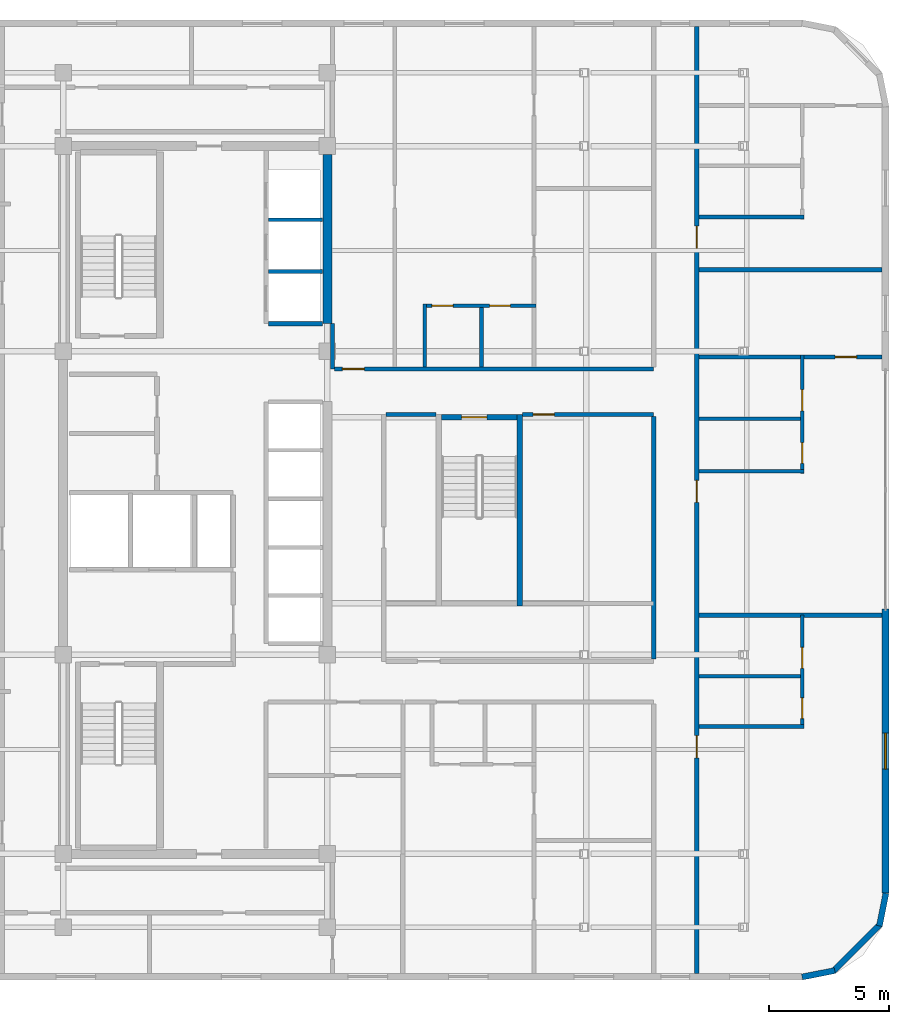
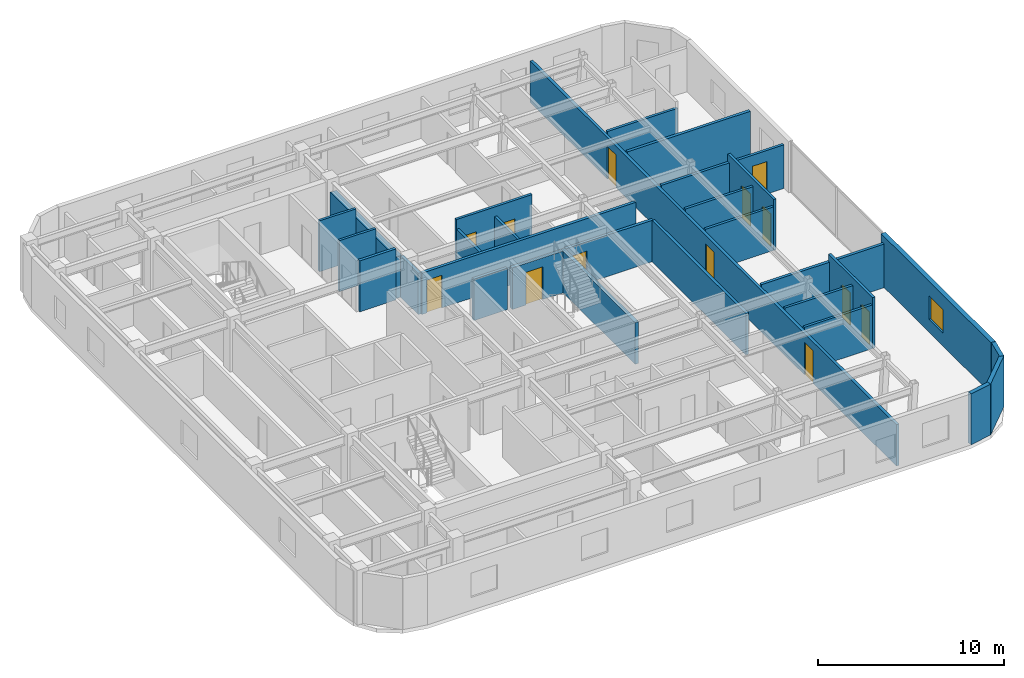
# One storey, part 6 of 9: 29 walls, 13 doors, 1 window, 14 openings.
"""IFC4 building model written with IfcOpenShell, lengths in metres."""

import ifcopenshell
import ifcopenshell.guid

model = None  # the IFC model being written
_history = None  # IfcOwnerHistory: only IFC2X3 demands one
_inside = {}  # id of a spatial element -> (the spatial element, [elements in it])
_under = {}  # id of a project, library or spatial element -> (it, [spatial elements below it])
_declared = {}  # id of a project -> (the project, [libraries it declares])
_typed = {}  # id of a type object -> (the type object, [elements of that type])
_made_of = {}  # id of a material, layer set ... -> (it, [elements and type objects made of it])


def new_model(schema):
    """Start an empty IFC model of exactly this schema.

    Asked for "IFC4X3", IfcOpenShell would pick the latest addendum, in which some entities
    have other attributes; the version numbers below select the first issue.
    IFC2X3 requires an IfcOwnerHistory on every rooted entity: one is made here for all.
    """
    global model, _history
    if schema == "IFC4X3":
        model = ifcopenshell.file(schema_version=(4, 3, 0, 0))
    else:
        model = ifcopenshell.file(schema=schema)
    _inside.clear()
    _under.clear()
    _declared.clear()
    _typed.clear()
    _made_of.clear()
    _history = None
    if model.schema == "IFC2X3":
        org = make("IfcOrganization", Name="unknown")
        user = make(
            "IfcPersonAndOrganization",
            ThePerson=make("IfcPerson", FamilyName="unknown"),
            TheOrganization=org,
        )
        app = make(
            "IfcApplication",
            ApplicationDeveloper=org,
            Version="unknown",
            ApplicationFullName="unknown",
            ApplicationIdentifier="unknown",
        )
        _history = make(
            "IfcOwnerHistory",
            OwningUser=user,
            OwningApplication=app,
            ChangeAction="ADDED",
            CreationDate=0,
        )
    return model


def make(cls, **values):
    """One entity of the class cls with the attributes given. An attribute that is None is left unset."""
    return model.create_entity(
        cls, **{name: value for name, value in values.items() if value is not None}
    )


def rooted(cls, **values):
    """An entity with a GlobalId (a new one), such as an element, a storey or a relation."""
    return make(cls, GlobalId=ifcopenshell.guid.new(), OwnerHistory=_history, **values)


def si_unit(unit_type, name, prefix=None):
    """IfcSIUnit, for example si_unit("LENGTHUNIT", "METRE", prefix="MILLI")."""
    return make("IfcSIUnit", UnitType=unit_type, Prefix=prefix, Name=name)


def assignment(units):
    """IfcUnitAssignment: the units of a project."""
    return None if units is None else make("IfcUnitAssignment", Units=units)


def point(xyz):
    """IfcCartesianPoint."""
    return None if xyz is None else make("IfcCartesianPoint", Coordinates=xyz)


def direction(xyz):
    """IfcDirection."""
    return None if xyz is None else make("IfcDirection", DirectionRatios=xyz)


def frame(location, z_axis=None, x_axis=None):
    """IfcAxis2Placement3D, a coordinate frame: its origin and axes. An axis left out is left unset."""
    return make(
        "IfcAxis2Placement3D",
        Location=point(location),
        Axis=direction(z_axis),
        RefDirection=direction(x_axis),
    )


def frame_2d(location, x_axis=None):
    """IfcAxis2Placement2D, a coordinate frame in the plane: its origin and x axis."""
    return make(
        "IfcAxis2Placement2D", Location=point(location), RefDirection=direction(x_axis)
    )


def origin():
    """The frame at (0, 0, 0) with its axes left unset."""
    return frame((0.0, 0.0, 0.0))


def place(relative_to, where):
    """IfcLocalPlacement: puts the frame where relative to a parent placement (None: the world)."""
    return make(
        "IfcLocalPlacement", PlacementRelTo=relative_to, RelativePlacement=where
    )


def context(
    kind, dimensions, precision=None, world=None, true_north=None, identifier=None
):
    """IfcGeometricRepresentationContext, for example the 3D "Model" context."""
    return make(
        "IfcGeometricRepresentationContext",
        ContextIdentifier=identifier,
        ContextType=kind,
        CoordinateSpaceDimension=dimensions,
        Precision=precision,
        WorldCoordinateSystem=world,
        TrueNorth=true_north,
    )


def subcontext(parent, identifier, kind, view, scale=None):
    """IfcGeometricRepresentationSubContext, for example "Body" below "Model"."""
    return make(
        "IfcGeometricRepresentationSubContext",
        ContextIdentifier=identifier,
        ContextType=kind,
        ParentContext=parent,
        TargetScale=scale,
        TargetView=view,
    )


def project(units=None, contexts=None):
    """IfcProject with its units and contexts."""
    return rooted(
        "IfcProject",
        Name="project",
        RepresentationContexts=contexts,
        UnitsInContext=assignment(units),
    )


def spatial(cls, under=None, at=None, **own):
    """A site, building, storey or space (cls), placed at a placement, below another one or the project."""
    s = rooted(cls, ObjectPlacement=at, **own)
    if under is not None:
        _under.setdefault(under.id(), (under, []))[1].append(s)
    return s


def profile(cls, at=None, kind="AREA", **sizes):
    """A parametric profile (cls). Its sizes go by their IFC names, for example OverallWidth=200.0."""
    return make(cls, ProfileType=kind, Position=at, **sizes)


def rectangle(**sizes):
    """IfcRectangleProfileDef."""
    return profile("IfcRectangleProfileDef", **sizes)


def extrude(swept, where, along, depth):
    """IfcExtrudedAreaSolid: the profile swept, set in the frame where, extruded along a direction by depth."""
    return make(
        "IfcExtrudedAreaSolid",
        SweptArea=swept,
        Position=where,
        ExtrudedDirection=direction(along),
        Depth=depth,
    )


def shape(context_of_items, identifier, shape_type, items):
    """IfcShapeRepresentation: the items that make up one representation, for example the "Body"."""
    return make(
        "IfcShapeRepresentation",
        ContextOfItems=context_of_items,
        RepresentationIdentifier=identifier,
        RepresentationType=shape_type,
        Items=items,
    )


def material(Name=None, Category=None):
    """IfcMaterial."""
    return make("IfcMaterial", Name=Name, Category=Category)


def layer(
    of_material, thickness, ventilated=None, Name=None, Category=None, Priority=None
):
    """IfcMaterialLayer: one layer of a wall or slab, of a material (None: an air gap)."""
    return make(
        "IfcMaterialLayer",
        Material=of_material,
        LayerThickness=thickness,
        IsVentilated=ventilated,
        Name=Name,
        Category=Category,
        Priority=Priority,
    )


def layer_set(layers, Name=None):
    """IfcMaterialLayerSet."""
    return make("IfcMaterialLayerSet", MaterialLayers=layers, LayerSetName=Name)


def made_of(thing, what):
    """Note that an element or type object is made of a material, layer set ...; save() writes the relation."""
    if what is not None:
        _made_of.setdefault(what.id(), (what, []))[1].append(thing)
    return thing


def type_object(cls, material=None, **own):
    """A type object (cls), such as IfcWallType, which elements share."""
    return made_of(rooted(cls, **own), material)


def element(
    cls,
    number,
    at=None,
    inside=None,
    cuts=None,
    type_object=None,
    material=None,
    context=None,
    identifier="Body",
    shape_type=None,
    held_by="IfcProductDefinitionShape",
    body=None,
    shapes=None,
    **own,
):
    """One element of the class cls, such as IfcWall. Its Tag is "e" and its number.

    at: its placement. inside: the storey or other place that contains it. cuts: it is an
    opening in that element (IfcRelVoidsElement). A single representation is given by context,
    identifier, shape_type and body (its items); several are given by shapes. held_by: the class
    of the entity that holds the representations. save() writes the other relations.
    """
    e = rooted(cls, Tag="e%d" % number, ObjectPlacement=at, **own)
    if body is not None:
        shapes = [shape(context, identifier, shape_type, body)]
    if shapes is not None:
        e.Representation = make(held_by, Representations=shapes)
    if inside is not None:
        _inside.setdefault(inside.id(), (inside, []))[1].append(e)
    if cuts is not None:
        rooted(
            "IfcRelVoidsElement", RelatingBuildingElement=cuts, RelatedOpeningElement=e
        )
    if type_object is not None:
        _typed.setdefault(type_object.id(), (type_object, []))[1].append(e)
    return made_of(e, material)


def fill(opening, filler):
    """IfcRelFillsElement: the door or window that sits in an opening."""
    return rooted(
        "IfcRelFillsElement",
        RelatingOpeningElement=opening,
        RelatedBuildingElement=filler,
    )


def aggregate(whole, parts):
    """IfcRelAggregates: a whole, such as a stair, and the parts it consists of."""
    return rooted("IfcRelAggregates", RelatingObject=whole, RelatedObjects=parts)


def save(model, path):
    """Write the relations noted so far, then the file.

    IfcRelAggregates (storeys below a building ...), IfcRelContainedInSpatialStructure (elements
    in a storey), IfcRelDefinesByType, IfcRelAssociatesMaterial and IfcRelDeclares: one each for
    every whole, place, type object, material and project.
    """
    for whole, parts in _under.values():
        aggregate(whole, parts)
    for where, things in _inside.values():
        rooted(
            "IfcRelContainedInSpatialStructure",
            RelatedElements=things,
            RelatingStructure=where,
        )
    for kind, things in _typed.values():
        rooted("IfcRelDefinesByType", RelatedObjects=things, RelatingType=kind)
    for what, things in _made_of.values():
        rooted("IfcRelAssociatesMaterial", RelatedObjects=things, RelatingMaterial=what)
    for by, libraries in _declared.values():
        rooted("IfcRelDeclares", RelatingContext=by, RelatedDefinitions=libraries)
    model.write(path)


model = new_model("IFC4")

# Units and contexts
model_context = context("Model", 3, precision=1e-05, world=origin(), true_north=direction((0.0, 1.0)))
body_context = subcontext(model_context, "Body", "Model", "MODEL_VIEW")
ifc_project = project(units=[si_unit("LENGTHUNIT", "METRE"), si_unit("AREAUNIT", "SQUARE_METRE"), si_unit("VOLUMEUNIT", "CUBIC_METRE"), si_unit("PLANEANGLEUNIT", "RADIAN"), si_unit("MASSUNIT", "GRAM", prefix="KILO")], contexts=[model_context])

# Site, building, storey
site_placement = place(None, origin())
site = spatial("IfcSite", under=ifc_project, at=site_placement, CompositionType="ELEMENT")
building_placement = place(site_placement, origin())
building = spatial("IfcBuilding", under=site, at=building_placement, Name="Ochreholt Gables", CompositionType="ELEMENT")
storey_placement = place(building_placement, frame((0.0, 0.0, 169.800048828125)))
storey = spatial("IfcBuildingStorey", under=building, at=storey_placement, Name="L44", CompositionType="ELEMENT", Elevation=169.800048828125)

# Wall
ifc_material_1 = material(Name="Concrete 50 MPa", Category="concrete")
ifc_layer_1 = layer(ifc_material_1, 0.3798828125, Name="Concrete 50 MPa")
ifc_layer_set_1 = layer_set([ifc_layer_1], Name="Concrete 50 MPa")
wall_type_1 = type_object("IfcWallType", Name="WALL-CSW-380", PredefinedType="SHEAR", material=ifc_layer_set_1)
wall_1_placement = place(storey_placement, frame((35.2099609375, 31.35009765625, 0.0), z_axis=(0.0, 0.0, 1.0), x_axis=(0.0, 1.0, 0.0)))
element("IfcWall", 1, at=wall_1_placement, inside=storey, type_object=wall_type_1, Name="L44 Core North-East Shear Wall", PredefinedType="SHEAR", context=body_context, shape_type="SweptSolid", body=[
    extrude(rectangle(XDim=7.0498046875, YDim=0.3798828125, at=frame_2d((3.52490234375, 0.0))), origin(), (0.0, 0.0, 1.0), 2.738037109375),
])

# Wall, opening, window
ifc_material_2 = material(Name="Precast concrete 40 MPa", Category="concrete")
ifc_layer_2 = layer(ifc_material_2, 0.280029296875, Name="Precast concrete 40 MPa")
ifc_layer_set_2 = layer_set([ifc_layer_2], Name="Precast concrete 40 MPa")
wall_type_2 = type_object("IfcWallType", Name="WALL-EXT-280", PredefinedType="SOLIDWALL", material=ifc_layer_set_2)
wall_2_placement = place(storey_placement, frame((58.4599609375, 7.6201171875, 0.0), z_axis=(0.0, 0.0, 1.0), x_axis=(0.0, 1.0, 0.0)))
wall_2 = element("IfcWall", 2, at=wall_2_placement, inside=storey, type_object=wall_type_2, Name="L44 East Facade Wall 1", PredefinedType="SOLIDWALL", context=body_context, shape_type="SweptSolid", body=[
    extrude(rectangle(XDim=11.829833984375, YDim=0.280029296875, at=frame_2d((5.9150390625, 0.0))), origin(), (0.0, 0.0, 1.0), 3.349853515625),
])
opening_1_placement = place(wall_2_placement, frame((5.1650390625, 0.0, 0.85009765625)))
opening_1 = element("IfcOpeningElement", 3, at=opening_1_placement, cuts=wall_2, Name="Opening WN-2", PredefinedType="OPENING", context=body_context, shape_type="SweptSolid", body=[
    extrude(rectangle(XDim=1.5, YDim=1.550048828125, at=frame_2d((0.75, 0.77490234375))), frame((0.0, 0.14990234375, 0.0), z_axis=(0.0, -1.0, 0.0), x_axis=(1.0, 0.0, 0.0)), (0.0, 0.0, 1.0), 0.300048828125),
])
ifc_material_3 = material(Name="Triple-Glazed Thermally Broken Aluminium Window", Category="aluminium")
window_type = type_object("IfcWindowType", Name="WIN-RES-1500", PartitioningType="SINGLE_PANEL", PredefinedType="WINDOW", material=ifc_material_3)
window_placement = place(opening_1_placement, origin())
window = element("IfcWindow", 4, at=window_placement, inside=storey, type_object=window_type, Name="L44 Window W-EXT-E1-L44-1", OverallHeight=1.550048828125, OverallWidth=1.5, PartitioningType="SINGLE_PANEL", PredefinedType="WINDOW", context=body_context, shape_type="SweptSolid", body=[
    extrude(rectangle(XDim=1.5, YDim=1.550048828125, at=frame_2d((0.75, 0.77490234375))), frame((0.0, 0.030029296875, 0.0), z_axis=(0.0, -1.0, 0.0), x_axis=(1.0, 0.0, 0.0)), (0.0, 0.0, 1.0), 0.06005859375),
])
fill(opening_1, window)

# Walls
ifc_layer_3 = layer(ifc_material_2, 0.25, Name="Precast concrete 40 MPa")
ifc_layer_set_3 = layer_set([ifc_layer_3], Name="Precast concrete 40 MPa")
wall_type_3 = type_object("IfcWallType", Name="WALL-EXT-CNR", PredefinedType="SOLIDWALL", material=ifc_layer_set_3)
wall_3_placement = place(storey_placement, frame((54.9833984375, 4.124267578125, 0.0), z_axis=(0.0, 0.0, 1.0), x_axis=(0.980809899341, 0.19496651342, 0.0)))
element("IfcWall", 5, at=wall_3_placement, inside=storey, type_object=wall_type_3, Name="L44 Rounded Corner Wall SE-1", PredefinedType="SOLIDWALL", context=body_context, shape_type="SweptSolid", body=[
    extrude(rectangle(XDim=1.388671875, YDim=0.25, at=frame_2d((0.6943359375, 0.0))), origin(), (0.0, 0.0, 1.0), 3.349853515625),
])
wall_4_placement = place(storey_placement, frame((56.294921875, 4.367919921875, 0.0), z_axis=(0.0, 0.0, 1.0), x_axis=(0.707106781187, 0.707106781187, 0.0)))
element("IfcWall", 6, at=wall_4_placement, inside=storey, type_object=wall_type_3, Name="L44 Rounded Corner Wall SE-2", PredefinedType="SOLIDWALL", context=body_context, shape_type="SweptSolid", body=[
    extrude(rectangle(XDim=2.7392578125, YDim=0.25, at=frame_2d((1.36962890625, 0.0))), origin(), (0.0, 0.0, 1.0), 3.349853515625),
])
wall_5_placement = place(storey_placement, frame((58.205078125, 6.25439453125, 0.0), z_axis=(0.0, 0.0, 1.0), x_axis=(0.19496651342, 0.980809899341, 0.0)))
element("IfcWall", 7, at=wall_5_placement, inside=storey, type_object=wall_type_3, Name="L44 Rounded Corner Wall SE-3", PredefinedType="SOLIDWALL", context=body_context, shape_type="SweptSolid", body=[
    extrude(rectangle(XDim=1.388671875, YDim=0.25, at=frame_2d((0.6943359375, 0.0))), origin(), (0.0, 0.0, 1.0), 3.349853515625),
])
ifc_material_4 = material(Name="Fire-Rated Gypsum Acoustic Partition", Category="gypsum")
ifc_layer_4 = layer(ifc_material_4, 0.179931640625, Name="Fire-Rated Gypsum Acoustic Partition")
ifc_layer_set_4 = layer_set([ifc_layer_4], Name="Fire-Rated Gypsum Acoustic Partition")
wall_type_4 = type_object("IfcWallType", Name="WALL-INT-CR180", PredefinedType="STANDARD", material=ifc_layer_set_4)
wall_6_placement = place(storey_placement, frame((37.639892578125, 27.56005859375, 0.0), z_axis=(0.0, 0.0, 1.0), x_axis=(1.0, 0.0, 0.0)))
element("IfcWall", 8, at=wall_6_placement, inside=storey, type_object=wall_type_4, Name="L44 Interior Wall WI-C2SN1W-L44", PredefinedType="STANDARD", context=body_context, shape_type="SweptSolid", body=[
    extrude(rectangle(XDim=2.090087890625, YDim=0.179931640625, at=frame_2d((1.044921875, 0.0))), origin(), (0.0, 0.0, 1.0), 2.719970703125),
])

# Wall, opening, door
wall_7_placement = place(storey_placement, frame((43.330078125, 27.56005859375, 0.0), z_axis=(0.0, 0.0, 1.0), x_axis=(1.0, 0.0, 0.0)))
wall_7 = element("IfcWall", 9, at=wall_7_placement, inside=storey, type_object=wall_type_4, Name="L44 Interior Wall WI-C2SN1-L44", PredefinedType="STANDARD", context=body_context, shape_type="SweptSolid", body=[
    extrude(rectangle(XDim=5.469970703125, YDim=0.179931640625, at=frame_2d((2.73486328125, 0.0))), origin(), (0.0, 0.0, 1.0), 2.719970703125),
])
opening_2_placement = place(wall_7_placement, frame((0.449951171875, 0.0, 0.0)))
opening_2 = element("IfcOpeningElement", 10, at=opening_2_placement, cuts=wall_7, Name="Opening D-GN2", PredefinedType="OPENING", context=body_context, shape_type="SweptSolid", body=[
    extrude(rectangle(XDim=0.8798828125, YDim=2.1201171875, at=frame_2d((0.43994140625, 1.06005859375))), frame((0.0, 0.099853515625, 0.0), z_axis=(0.0, -1.0, 0.0), x_axis=(1.0, 0.0, 0.0)), (0.0, 0.0, 1.0), 0.199951171875),
])
ifc_material_5 = material(Name="Engineered Oak Timber", Category="wood")
door_type_1 = type_object("IfcDoorType", Name="DR-INT-GEN880", OperationType="NOTDEFINED", PredefinedType="DOOR", material=ifc_material_5)
door_1_placement = place(opening_2_placement, origin())
door_1 = element("IfcDoor", 11, at=door_1_placement, inside=storey, type_object=door_type_1, Name="L44 Door D-C2FME-L44", OperationType="SINGLE_SWING_LEFT", OverallHeight=2.1201171875, OverallWidth=0.8798828125, PredefinedType="DOOR", context=body_context, shape_type="SweptSolid", body=[
    extrude(rectangle(XDim=0.8798828125, YDim=2.1201171875, at=frame_2d((0.43994140625, 1.06005859375))), frame((0.0, 0.02490234375, 0.0), z_axis=(0.0, -1.0, 0.0), x_axis=(1.0, 0.0, 0.0)), (0.0, 0.0, 1.0), 0.050048828125),
])
fill(opening_2, door_1)

# Wall
wall_8_placement = place(storey_placement, frame((35.419921875, 29.4599609375, 0.0), z_axis=(0.0, 0.0, 1.0), x_axis=(0.0, 1.0, 0.0)))
element("IfcWall", 12, at=wall_8_placement, inside=storey, type_object=wall_type_4, Name="L44 Interior Wall WI-C2NCL-L44", PredefinedType="STANDARD", context=body_context, shape_type="SweptSolid", body=[
    extrude(rectangle(XDim=1.89013671875, YDim=0.179931640625, at=frame_2d((0.945068359375, 0.0))), origin(), (0.0, 0.0, 1.0), 2.719970703125),
])

# Wall, opening, door
wall_9_placement = place(storey_placement, frame((35.510009765625, 29.4599609375, 0.0), z_axis=(0.0, 0.0, 1.0), x_axis=(1.0, 0.0, 0.0)))
wall_9 = element("IfcWall", 13, at=wall_9_placement, inside=storey, type_object=wall_type_4, Name="L44 Interior Wall WI-C2SN2-L44", PredefinedType="STANDARD", context=body_context, shape_type="SweptSolid", body=[
    extrude(rectangle(XDim=13.2900390625, YDim=0.179931640625, at=frame_2d((6.64501953125, 0.0))), origin(), (0.0, 0.0, 1.0), 2.719970703125),
])
opening_3_placement = place(wall_9_placement, frame((0.320068359375, 0.0, 0.0)))
opening_3 = element("IfcOpeningElement", 14, at=opening_3_placement, cuts=wall_9, Name="Opening D-UN1", PredefinedType="OPENING", context=body_context, shape_type="SweptSolid", body=[
    extrude(rectangle(XDim=0.919921875, YDim=2.14990234375, at=frame_2d((0.4599609375, 1.074951171875))), frame((0.0, 0.099853515625, 0.0), z_axis=(0.0, -1.0, 0.0), x_axis=(1.0, 0.0, 0.0)), (0.0, 0.0, 1.0), 0.199951171875),
])
door_type_2 = type_object("IfcDoorType", Name="DR-INT-UNT920", OperationType="NOTDEFINED", PredefinedType="DOOR", material=ifc_material_5)
door_2_placement = place(opening_3_placement, origin())
door_2 = element("IfcDoor", 15, at=door_2_placement, inside=storey, type_object=door_type_2, Name="L44 Door D-U-L44N1-ENT", OperationType="SINGLE_SWING_LEFT", OverallHeight=2.14990234375, OverallWidth=0.919921875, PredefinedType="DOOR", context=body_context, shape_type="SweptSolid", body=[
    extrude(rectangle(XDim=0.919921875, YDim=2.14990234375, at=frame_2d((0.4599609375, 1.074951171875))), frame((0.0, 0.02490234375, 0.0), z_axis=(0.0, -1.0, 0.0), x_axis=(1.0, 0.0, 0.0)), (0.0, 0.0, 1.0), 0.050048828125),
])
fill(opening_3, door_2)

# Wall, openings, doors
wall_10_placement = place(storey_placement, frame((50.60009765625, 4.280029296875, 0.0), z_axis=(0.0, 0.0, 1.0), x_axis=(0.0, 1.0, 0.0)))
wall_10 = element("IfcWall", 16, at=wall_10_placement, inside=storey, type_object=wall_type_4, Name="L44 Interior Wall WI-C2FEG-L44", PredefinedType="STANDARD", context=body_context, shape_type="SweptSolid", body=[
    extrude(rectangle(XDim=39.43994140625, YDim=0.179931640625, at=frame_2d((19.719970703125, 0.0))), origin(), (0.0, 0.0, 1.0), 2.719970703125),
])
opening_4_placement = place(wall_10_placement, frame((8.97998046875, 0.0, 0.0)))
opening_4 = element("IfcOpeningElement", 17, at=opening_4_placement, cuts=wall_10, Name="Opening D-UN1", PredefinedType="OPENING", context=body_context, shape_type="SweptSolid", body=[
    extrude(rectangle(XDim=0.919921875, YDim=2.14990234375, at=frame_2d((0.4599609375, 1.074951171875))), frame((0.0, 0.099853515625, 0.0), z_axis=(0.0, -1.0, 0.0), x_axis=(1.0, 0.0, 0.0)), (0.0, 0.0, 1.0), 0.199951171875),
])
opening_5_placement = place(wall_10_placement, frame((19.615966796875, 0.0, 0.0)))
opening_5 = element("IfcOpeningElement", 18, at=opening_5_placement, cuts=wall_10, Name="Opening D-UN1", PredefinedType="OPENING", context=body_context, shape_type="SweptSolid", body=[
    extrude(rectangle(XDim=0.919921875, YDim=2.14990234375, at=frame_2d((0.4599609375, 1.074951171875))), frame((0.0, 0.099853515625, 0.0), z_axis=(0.0, -1.0, 0.0), x_axis=(1.0, 0.0, 0.0)), (0.0, 0.0, 1.0), 0.199951171875),
])
opening_6_placement = place(wall_10_placement, frame((30.206787109375, 0.0, 0.0)))
opening_6 = element("IfcOpeningElement", 19, at=opening_6_placement, cuts=wall_10, Name="Opening D-UN1", PredefinedType="OPENING", context=body_context, shape_type="SweptSolid", body=[
    extrude(rectangle(XDim=0.919921875, YDim=2.14990234375, at=frame_2d((0.4599609375, 1.074951171875))), frame((0.0, 0.099853515625, 0.0), z_axis=(0.0, -1.0, 0.0), x_axis=(1.0, 0.0, 0.0)), (0.0, 0.0, 1.0), 0.199951171875),
])
door_3_placement = place(opening_4_placement, origin())
door_3 = element("IfcDoor", 20, at=door_3_placement, inside=storey, type_object=door_type_2, Name="L44 Door D-U-L44FE1-ENT", OperationType="SINGLE_SWING_RIGHT", OverallHeight=2.14990234375, OverallWidth=0.919921875, PredefinedType="DOOR", context=body_context, shape_type="SweptSolid", body=[
    extrude(rectangle(XDim=0.919921875, YDim=2.14990234375, at=frame_2d((0.4599609375, 1.074951171875))), frame((0.0, 0.02490234375, 0.0), z_axis=(0.0, -1.0, 0.0), x_axis=(1.0, 0.0, 0.0)), (0.0, 0.0, 1.0), 0.050048828125),
])
fill(opening_4, door_3)
door_4_placement = place(opening_5_placement, origin())
door_4 = element("IfcDoor", 21, at=door_4_placement, inside=storey, type_object=door_type_2, Name="L44 Door D-U-L44FE2-ENT", OperationType="SINGLE_SWING_LEFT", OverallHeight=2.14990234375, OverallWidth=0.919921875, PredefinedType="DOOR", context=body_context, shape_type="SweptSolid", body=[
    extrude(rectangle(XDim=0.919921875, YDim=2.14990234375, at=frame_2d((0.4599609375, 1.074951171875))), frame((0.0, 0.02490234375, 0.0), z_axis=(0.0, -1.0, 0.0), x_axis=(1.0, 0.0, 0.0)), (0.0, 0.0, 1.0), 0.050048828125),
])
fill(opening_5, door_4)
door_5_placement = place(opening_6_placement, origin())
door_5 = element("IfcDoor", 22, at=door_5_placement, inside=storey, type_object=door_type_2, Name="L44 Door D-U-L44FE3-ENT", OperationType="SINGLE_SWING_RIGHT", OverallHeight=2.14990234375, OverallWidth=0.919921875, PredefinedType="DOOR", context=body_context, shape_type="SweptSolid", body=[
    extrude(rectangle(XDim=0.919921875, YDim=2.14990234375, at=frame_2d((0.4599609375, 1.074951171875))), frame((0.0, 0.02490234375, 0.0), z_axis=(0.0, -1.0, 0.0), x_axis=(1.0, 0.0, 0.0)), (0.0, 0.0, 1.0), 0.050048828125),
])
fill(opening_6, door_5)

# Walls
wall_11_placement = place(storey_placement, frame((48.800048828125, 17.3701171875, 0.0), z_axis=(0.0, 0.0, 1.0), x_axis=(0.0, 1.0, 0.0)))
element("IfcWall", 23, at=wall_11_placement, inside=storey, type_object=wall_type_4, Name="L44 Interior Wall WI-C2FEGW2-L44", PredefinedType="STANDARD", context=body_context, shape_type="SweptSolid", body=[
    extrude(rectangle(XDim=10.099853515625, YDim=0.179931640625, at=frame_2d((5.0498046875, 0.0))), origin(), (0.0, 0.0, 1.0), 2.719970703125),
])
ifc_material_6 = material(Name="Double-Stud Acoustic Demising Wall", Category="gypsum")
ifc_layer_5 = layer(ifc_material_6, 0.179931640625, Name="Double-Stud Acoustic Demising Wall")
ifc_layer_set_5 = layer_set([ifc_layer_5], Name="Double-Stud Acoustic Demising Wall")
wall_type_5 = type_object("IfcWallType", Name="WALL-INT-DM180", PredefinedType="PARTITIONING", material=ifc_layer_set_5)
for number, where, z_axis, x_axis, name in (
    (24, (50.68994140625, 19.199951171875, 0.0), (0.0, 0.0, 1.0), (1.0, 0.0, 0.0), "L44 Interior Wall WI-C2FED2-L44"),
    (25, (50.68994140625, 33.60009765625, 0.0), (0.0, 0.0, 1.0), (1.0, 0.0, 0.0), "L44 Interior Wall WI-C2FED3-L44"),
):
    element("IfcWall", number, at=place(storey_placement, frame(where, z_axis=z_axis, x_axis=x_axis)), inside=storey, type_object=wall_type_5, Name=name, PredefinedType="PARTITIONING", context=body_context, shape_type="SweptSolid", body=[
        extrude(rectangle(XDim=7.630126953125, YDim=0.179931640625, at=frame_2d((3.81494140625, 0.0))), origin(), (0.0, 0.0, 1.0), 2.868896484375),
    ])

# Wall, openings, doors
ifc_material_7 = material(Name="Moisture-Resistant Plumbing Chase Wall", Category="gypsum")
ifc_layer_6 = layer(ifc_material_7, 0.159912109375, Name="Moisture-Resistant Plumbing Chase Wall")
ifc_layer_set_6 = layer_set([ifc_layer_6], Name="Moisture-Resistant Plumbing Chase Wall")
wall_type_6 = type_object("IfcWallType", Name="WALL-INT-PL160", PredefinedType="PLUMBINGWALL", material=ifc_layer_set_6)
wall_12_placement = place(storey_placement, frame((39.179931640625, 32.094970703125, 0.0), z_axis=(0.0, 0.0, 1.0), x_axis=(1.0, 0.0, 0.0)))
wall_12 = element("IfcWall", 26, at=wall_12_placement, inside=storey, type_object=wall_type_6, Name="L44 Interior Wall WU-L44N1-WY", PredefinedType="PLUMBINGWALL", context=body_context, shape_type="SweptSolid", body=[
    extrude(rectangle(XDim=4.7099609375, YDim=0.159912109375, at=frame_2d((2.35498046875, 0.0))), origin(), (0.0, 0.0, 1.0), 3.349853515625),
])
opening_7_placement = place(wall_12_placement, frame((0.3798828125, 0.0, 0.0)))
opening_7 = element("IfcOpeningElement", 27, at=opening_7_placement, cuts=wall_12, Name="Opening D-GN2", PredefinedType="OPENING", context=body_context, shape_type="SweptSolid", body=[
    extrude(rectangle(XDim=0.8798828125, YDim=2.1201171875, at=frame_2d((0.43994140625, 1.06005859375))), frame((0.0, 0.08984375, 0.0), z_axis=(0.0, -1.0, 0.0), x_axis=(1.0, 0.0, 0.0)), (0.0, 0.0, 1.0), 0.179931640625),
])
opening_8_placement = place(wall_12_placement, frame((2.785888671875, 0.0, 0.0)))
opening_8 = element("IfcOpeningElement", 28, at=opening_8_placement, cuts=wall_12, Name="Opening D-BT1", PredefinedType="OPENING", context=body_context, shape_type="SweptSolid", body=[
    extrude(rectangle(XDim=0.860107421875, YDim=2.1201171875, at=frame_2d((0.43017578125, 1.06005859375))), frame((0.0, 0.08984375, 0.0), z_axis=(0.0, -1.0, 0.0), x_axis=(1.0, 0.0, 0.0)), (0.0, 0.0, 1.0), 0.179931640625),
])
door_type_3 = type_object("IfcDoorType", Name="DR-INT-BTH860", OperationType="NOTDEFINED", PredefinedType="DOOR", material=ifc_material_5)
door_6_placement = place(opening_8_placement, origin())
door_6 = element("IfcDoor", 29, at=door_6_placement, inside=storey, type_object=door_type_3, Name="L44 Door D-U-L44N1-BTH", OperationType="SINGLE_SWING_LEFT", OverallHeight=2.1201171875, OverallWidth=0.860107421875, PredefinedType="DOOR", context=body_context, shape_type="SweptSolid", body=[
    extrude(rectangle(XDim=0.860107421875, YDim=2.1201171875, at=frame_2d((0.43017578125, 1.06005859375))), frame((0.0, 0.02490234375, 0.0), z_axis=(0.0, -1.0, 0.0), x_axis=(1.0, 0.0, 0.0)), (0.0, 0.0, 1.0), 0.050048828125),
])
fill(opening_8, door_6)
door_7_placement = place(opening_7_placement, origin())
door_7 = element("IfcDoor", 30, at=door_7_placement, inside=storey, type_object=door_type_1, Name="L44 Door D-U-L44N1-KIT", OperationType="SINGLE_SWING_RIGHT", OverallHeight=2.1201171875, OverallWidth=0.8798828125, PredefinedType="DOOR", context=body_context, shape_type="SweptSolid", body=[
    extrude(rectangle(XDim=0.8798828125, YDim=2.1201171875, at=frame_2d((0.43994140625, 1.06005859375))), frame((0.0, 0.02490234375, 0.0), z_axis=(0.0, -1.0, 0.0), x_axis=(1.0, 0.0, 0.0)), (0.0, 0.0, 1.0), 0.050048828125),
])
fill(opening_7, door_7)

# Walls
wall_13_placement = place(storey_placement, frame((39.260009765625, 29.550048828125, 0.0), z_axis=(0.0, 0.0, 1.0), x_axis=(0.0, 1.0, 0.0)))
element("IfcWall", 31, at=wall_13_placement, inside=storey, type_object=wall_type_6, Name="L44 Interior Wall WU-L44N1-FY", PredefinedType="PLUMBINGWALL", context=body_context, shape_type="SweptSolid", body=[
    extrude(rectangle(XDim=2.625, YDim=0.159912109375, at=frame_2d((1.3125, 0.0))), origin(), (0.0, 0.0, 1.0), 2.719970703125),
])
wall_14_placement = place(storey_placement, frame((41.6259765625, 29.550048828125, 0.0), z_axis=(0.0, 0.0, 1.0), x_axis=(0.0, 1.0, 0.0)))
element("IfcWall", 32, at=wall_14_placement, inside=storey, type_object=wall_type_6, Name="L44 Interior Wall WU-L44N1-WK", PredefinedType="PLUMBINGWALL", context=body_context, shape_type="SweptSolid", body=[
    extrude(rectangle(XDim=2.46484375, YDim=0.159912109375, at=frame_2d((1.232421875, 0.0))), origin(), (0.0, 0.0, 1.0), 2.719970703125),
])
wall_15_placement = place(storey_placement, frame((50.68994140625, 14.56005859375, 0.0), z_axis=(0.0, 0.0, 1.0), x_axis=(1.0, 0.0, 0.0)))
element("IfcWall", 33, at=wall_15_placement, inside=storey, type_object=wall_type_6, Name="L44 Interior Wall WU-L44FE1-WYS", PredefinedType="PLUMBINGWALL", context=body_context, shape_type="SweptSolid", body=[
    extrude(rectangle(XDim=4.380126953125, YDim=0.159912109375, at=frame_2d((2.18994140625, 0.0))), origin(), (0.0, 0.0, 1.0), 2.868896484375),
])

# Wall, openings, doors
wall_16_placement = place(storey_placement, frame((54.989990234375, 14.469970703125, 0.0), z_axis=(0.0, 0.0, 1.0), x_axis=(0.0, 1.0, 0.0)))
wall_16 = element("IfcWall", 34, at=wall_16_placement, inside=storey, type_object=wall_type_6, Name="L44 Interior Wall WU-L44FE1-WX", PredefinedType="PLUMBINGWALL", context=body_context, shape_type="SweptSolid", body=[
    extrude(rectangle(XDim=4.72998046875, YDim=0.159912109375, at=frame_2d((2.364990234375, 0.0))), origin(), (0.0, 0.0, 1.0), 3.349853515625),
])
opening_9_placement = place(wall_16_placement, frame((0.419921875, 0.0, 0.0)))
opening_9 = element("IfcOpeningElement", 35, at=opening_9_placement, cuts=wall_16, Name="Opening D-BT1", PredefinedType="OPENING", context=body_context, shape_type="SweptSolid", body=[
    extrude(rectangle(XDim=0.860107421875, YDim=2.1201171875, at=frame_2d((0.43017578125, 1.06005859375))), frame((0.0, 0.08984375, 0.0), z_axis=(0.0, -1.0, 0.0), x_axis=(1.0, 0.0, 0.0)), (0.0, 0.0, 1.0), 0.179931640625),
])
opening_10_placement = place(wall_16_placement, frame((2.512939453125, 0.0, 0.0)))
opening_10 = element("IfcOpeningElement", 36, at=opening_10_placement, cuts=wall_16, Name="Opening D-GN2", PredefinedType="OPENING", context=body_context, shape_type="SweptSolid", body=[
    extrude(rectangle(XDim=0.8798828125, YDim=2.1201171875, at=frame_2d((0.43994140625, 1.06005859375))), frame((0.0, 0.08984375, 0.0), z_axis=(0.0, -1.0, 0.0), x_axis=(1.0, 0.0, 0.0)), (0.0, 0.0, 1.0), 0.179931640625),
])
door_8_placement = place(opening_9_placement, origin())
door_8 = element("IfcDoor", 37, at=door_8_placement, inside=storey, type_object=door_type_3, Name="L44 Door D-U-L44FE1-BTH", OperationType="SINGLE_SWING_LEFT", OverallHeight=2.1201171875, OverallWidth=0.860107421875, PredefinedType="DOOR", context=body_context, shape_type="SweptSolid", body=[
    extrude(rectangle(XDim=0.860107421875, YDim=2.1201171875, at=frame_2d((0.43017578125, 1.06005859375))), frame((0.0, 0.02490234375, 0.0), z_axis=(0.0, -1.0, 0.0), x_axis=(1.0, 0.0, 0.0)), (0.0, 0.0, 1.0), 0.050048828125),
])
fill(opening_9, door_8)
door_9_placement = place(opening_10_placement, origin())
door_9 = element("IfcDoor", 38, at=door_9_placement, inside=storey, type_object=door_type_1, Name="L44 Door D-U-L44FE1-KIT", OperationType="SINGLE_SWING_RIGHT", OverallHeight=2.1201171875, OverallWidth=0.8798828125, PredefinedType="DOOR", context=body_context, shape_type="SweptSolid", body=[
    extrude(rectangle(XDim=0.8798828125, YDim=2.1201171875, at=frame_2d((0.43994140625, 1.06005859375))), frame((0.0, 0.02490234375, 0.0), z_axis=(0.0, -1.0, 0.0), x_axis=(1.0, 0.0, 0.0)), (0.0, 0.0, 1.0), 0.050048828125),
])
fill(opening_10, door_9)

# Walls
wall_17_placement = place(storey_placement, frame((50.68994140625, 16.653076171875, 0.0), z_axis=(0.0, 0.0, 1.0), x_axis=(1.0, 0.0, 0.0)))
element("IfcWall", 39, at=wall_17_placement, inside=storey, type_object=wall_type_6, Name="L44 Interior Wall WU-L44FE1-WM", PredefinedType="PLUMBINGWALL", context=body_context, shape_type="SweptSolid", body=[
    extrude(rectangle(XDim=4.219970703125, YDim=0.159912109375, at=frame_2d((2.10986328125, 0.0))), origin(), (0.0, 0.0, 1.0), 2.868896484375),
])
wall_18_placement = place(storey_placement, frame((50.68994140625, 25.196044921875, 0.0), z_axis=(0.0, 0.0, 1.0), x_axis=(1.0, 0.0, 0.0)))
element("IfcWall", 40, at=wall_18_placement, inside=storey, type_object=wall_type_6, Name="L44 Interior Wall WU-L44FE2-FYS", PredefinedType="PLUMBINGWALL", context=body_context, shape_type="SweptSolid", body=[
    extrude(rectangle(XDim=4.380126953125, YDim=0.159912109375, at=frame_2d((2.18994140625, 0.0))), origin(), (0.0, 0.0, 1.0), 2.868896484375),
])

# Wall, openings, doors
wall_19_placement = place(storey_placement, frame((54.989990234375, 25.10595703125, 0.0), z_axis=(0.0, 0.0, 1.0), x_axis=(0.0, 1.0, 0.0)))
wall_19 = element("IfcWall", 41, at=wall_19_placement, inside=storey, type_object=wall_type_6, Name="L44 Interior Wall WU-L44FE2-WX", PredefinedType="PLUMBINGWALL", context=body_context, shape_type="SweptSolid", body=[
    extrude(rectangle(XDim=4.944091796875, YDim=0.159912109375, at=frame_2d((2.47216796875, 0.0))), origin(), (0.0, 0.0, 1.0), 3.349853515625),
])
opening_11_placement = place(wall_19_placement, frame((0.419921875, 0.0, 0.0)))
opening_11 = element("IfcOpeningElement", 42, at=opening_11_placement, cuts=wall_19, Name="Opening D-BT1", PredefinedType="OPENING", context=body_context, shape_type="SweptSolid", body=[
    extrude(rectangle(XDim=0.860107421875, YDim=2.1201171875, at=frame_2d((0.43017578125, 1.06005859375))), frame((0.0, 0.08984375, 0.0), z_axis=(0.0, -1.0, 0.0), x_axis=(1.0, 0.0, 0.0)), (0.0, 0.0, 1.0), 0.179931640625),
])
opening_12_placement = place(wall_19_placement, frame((2.611328125, 0.0, 0.0)))
opening_12 = element("IfcOpeningElement", 43, at=opening_12_placement, cuts=wall_19, Name="Opening D-GN2", PredefinedType="OPENING", context=body_context, shape_type="SweptSolid", body=[
    extrude(rectangle(XDim=0.8798828125, YDim=2.1201171875, at=frame_2d((0.43994140625, 1.06005859375))), frame((0.0, 0.08984375, 0.0), z_axis=(0.0, -1.0, 0.0), x_axis=(1.0, 0.0, 0.0)), (0.0, 0.0, 1.0), 0.179931640625),
])
door_10_placement = place(opening_11_placement, origin())
door_10 = element("IfcDoor", 44, at=door_10_placement, inside=storey, type_object=door_type_3, Name="L44 Door D-U-L44FE2-BTH", OperationType="SINGLE_SWING_RIGHT", OverallHeight=2.1201171875, OverallWidth=0.860107421875, PredefinedType="DOOR", context=body_context, shape_type="SweptSolid", body=[
    extrude(rectangle(XDim=0.860107421875, YDim=2.1201171875, at=frame_2d((0.43017578125, 1.06005859375))), frame((0.0, 0.02490234375, 0.0), z_axis=(0.0, -1.0, 0.0), x_axis=(1.0, 0.0, 0.0)), (0.0, 0.0, 1.0), 0.050048828125),
])
fill(opening_11, door_10)
door_11_placement = place(opening_12_placement, origin())
door_11 = element("IfcDoor", 45, at=door_11_placement, inside=storey, type_object=door_type_1, Name="L44 Door D-U-L44FE2-KIT", OperationType="SINGLE_SWING_LEFT", OverallHeight=2.1201171875, OverallWidth=0.8798828125, PredefinedType="DOOR", context=body_context, shape_type="SweptSolid", body=[
    extrude(rectangle(XDim=0.8798828125, YDim=2.1201171875, at=frame_2d((0.43994140625, 1.06005859375))), frame((0.0, 0.02490234375, 0.0), z_axis=(0.0, -1.0, 0.0), x_axis=(1.0, 0.0, 0.0)), (0.0, 0.0, 1.0), 0.050048828125),
])
fill(opening_12, door_11)

# Walls
wall_20_placement = place(storey_placement, frame((50.68994140625, 27.387451171875, 0.0), z_axis=(0.0, 0.0, 1.0), x_axis=(1.0, 0.0, 0.0)))
element("IfcWall", 46, at=wall_20_placement, inside=storey, type_object=wall_type_6, Name="L44 Interior Wall WU-L44FE2-WK", PredefinedType="PLUMBINGWALL", context=body_context, shape_type="SweptSolid", body=[
    extrude(rectangle(XDim=4.219970703125, YDim=0.159912109375, at=frame_2d((2.10986328125, 0.0))), origin(), (0.0, 0.0, 1.0), 2.868896484375),
])
wall_21_placement = place(storey_placement, frame((50.68994140625, 35.786865234375, 0.0), z_axis=(0.0, 0.0, 1.0), x_axis=(1.0, 0.0, 0.0)))
element("IfcWall", 47, at=wall_21_placement, inside=storey, type_object=wall_type_6, Name="L44 Interior Wall WU-L44FE3-FYS", PredefinedType="PLUMBINGWALL", context=body_context, shape_type="SweptSolid", body=[
    extrude(rectangle(XDim=4.380126953125, YDim=0.159912109375, at=frame_2d((2.18994140625, 0.0))), origin(), (0.0, 0.0, 1.0), 2.868896484375),
])

# Wall, opening, door
ifc_material_8 = material(Name="Gypsum Acoustic Stud Partition", Category="gypsum")
ifc_layer_7 = layer(ifc_material_8, 0.1650390625, Name="Gypsum Acoustic Stud Partition")
ifc_layer_set_7 = layer_set([ifc_layer_7], Name="Gypsum Acoustic Stud Partition")
wall_type_7 = type_object("IfcWallType", Name="WALL-INT-PT165", PredefinedType="PARTITIONING", material=ifc_layer_set_7)
wall_22_placement = place(storey_placement, frame((50.68994140625, 29.9599609375, 0.0), z_axis=(0.0, 0.0, 1.0), x_axis=(1.0, 0.0, 0.0)))
wall_22 = element("IfcWall", 48, at=wall_22_placement, inside=storey, type_object=wall_type_7, Name="L44 Interior Wall WU-L44FE2-MN", PredefinedType="PARTITIONING", context=body_context, shape_type="SweptSolid", body=[
    extrude(rectangle(XDim=7.630126953125, YDim=0.1650390625, at=frame_2d((3.81494140625, 0.0))), origin(), (0.0, 0.0, 1.0), 2.868896484375),
])
opening_13_placement = place(wall_22_placement, frame((5.669921875, 0.0, 0.0)))
opening_13 = element("IfcOpeningElement", 49, at=opening_13_placement, cuts=wall_22, Name="Opening D-BD1", PredefinedType="OPENING", context=body_context, shape_type="SweptSolid", body=[
    extrude(rectangle(XDim=0.89990234375, YDim=2.139892578125, at=frame_2d((0.449951171875, 1.06982421875))), frame((0.0, 0.092529296875, 0.0), z_axis=(0.0, -1.0, 0.0), x_axis=(1.0, 0.0, 0.0)), (0.0, 0.0, 1.0), 0.18505859375),
])
door_type_4 = type_object("IfcDoorType", Name="DR-INT-BED900", OperationType="NOTDEFINED", PredefinedType="DOOR", material=ifc_material_5)
door_12_placement = place(opening_13_placement, origin())
door_12 = element("IfcDoor", 50, at=door_12_placement, inside=storey, type_object=door_type_4, Name="L44 Door D-U-L44FE2-BD1", OperationType="SINGLE_SWING_RIGHT", OverallHeight=2.139892578125, OverallWidth=0.89990234375, PredefinedType="DOOR", context=body_context, shape_type="SweptSolid", body=[
    extrude(rectangle(XDim=0.89990234375, YDim=2.139892578125, at=frame_2d((0.449951171875, 1.06982421875))), frame((0.0, 0.02490234375, 0.0), z_axis=(0.0, -1.0, 0.0), x_axis=(1.0, 0.0, 0.0)), (0.0, 0.0, 1.0), 0.050048828125),
])
fill(opening_13, door_12)

# Walls
ifc_material_9 = material(Name="Gypsum Shaftliner and Steel Stud", Category="steel")
ifc_layer_8 = layer(ifc_material_9, 0.14990234375, Name="Gypsum Shaftliner and Steel Stud")
ifc_layer_set_8 = layer_set([ifc_layer_8], Name="Gypsum Shaftliner and Steel Stud")
wall_type_8 = type_object("IfcWallType", Name="WALL-INT-SH150", PredefinedType="STANDARD", material=ifc_layer_set_8)
for number, where, z_axis, x_axis, name in (
    (51, (32.739990234375, 33.52001953125, 0.0), (0.0, 0.0, 1.0), (1.0, 0.0, 0.0), "L44 Interior Wall WI-LFM-D1-L44"),
    (52, (32.739990234375, 35.669921875, 0.0), (0.0, 0.0, 1.0), (1.0, 0.0, 0.0), "L44 Interior Wall WI-LFM-D2-L44"),
):
    element("IfcWall", number, at=place(storey_placement, frame(where, z_axis=z_axis, x_axis=x_axis)), inside=storey, type_object=wall_type_8, Name=name, PredefinedType="STANDARD", context=body_context, shape_type="SweptSolid", body=[
        extrude(rectangle(XDim=2.260009765625, YDim=0.14990234375, at=frame_2d((1.1298828125, 0.0))), origin(), (0.0, 0.0, 1.0), 3.349853515625),
    ])
ifc_layer_9 = layer(ifc_material_9, 0.179931640625, Name="Gypsum Shaftliner and Steel Stud")
ifc_layer_set_9 = layer_set([ifc_layer_9], Name="Gypsum Shaftliner and Steel Stud")
wall_type_9 = type_object("IfcWallType", Name="WALL-INT-SH180", PredefinedType="STANDARD", material=ifc_layer_set_9)
wall_23_placement = place(storey_placement, frame((32.739990234375, 31.35009765625, 0.0), z_axis=(0.0, 0.0, 1.0), x_axis=(1.0, 0.0, 0.0)))
element("IfcWall", 53, at=wall_23_placement, inside=storey, type_object=wall_type_9, Name="L44 Interior Wall WI-LFM-S-L44", PredefinedType="STANDARD", context=body_context, shape_type="SweptSolid", body=[
    extrude(rectangle(XDim=2.260009765625, YDim=0.179931640625, at=frame_2d((1.1298828125, 0.0))), origin(), (0.0, 0.0, 1.0), 3.349853515625),
])
ifc_layer_10 = layer(ifc_material_1, 0.219970703125, Name="Concrete 50 MPa")
ifc_layer_set_10 = layer_set([ifc_layer_10], Name="Concrete 50 MPa")
wall_type_10 = type_object("IfcWallType", Name="WALL-STW-220", PredefinedType="SHEAR", material=ifc_layer_set_10)
wall_24_placement = place(storey_placement, frame((43.219970703125, 19.580078125, 0.0), z_axis=(0.0, 0.0, 1.0), x_axis=(0.0, 1.0, 0.0)))
element("IfcWall", 54, at=wall_24_placement, inside=storey, type_object=wall_type_10, Name="L44 Feature Stair ST-C4 East Wall", PredefinedType="SHEAR", context=body_context, shape_type="SweptSolid", body=[
    extrude(rectangle(XDim=7.97998046875, YDim=0.219970703125, at=frame_2d((3.989990234375, 0.0))), origin(), (0.0, 0.0, 1.0), 2.73828125),
])

# Wall, opening, door
wall_25_placement = place(storey_placement, frame((39.949951171875, 27.449951171875, 0.0), z_axis=(0.0, 0.0, 1.0), x_axis=(1.0, 0.0, 0.0)))
wall_25 = element("IfcWall", 55, at=wall_25_placement, inside=storey, type_object=wall_type_10, Name="L44 Feature Stair ST-C4 North Wall", PredefinedType="SHEAR", context=body_context, shape_type="SweptSolid", body=[
    extrude(rectangle(XDim=3.16015625, YDim=0.219970703125, at=frame_2d((1.580078125, 0.0))), origin(), (0.0, 0.0, 1.0), 2.73828125),
])
opening_14_placement = place(wall_25_placement, frame((0.85009765625, 0.0, 0.0)))
opening_14 = element("IfcOpeningElement", 56, at=opening_14_placement, cuts=wall_25, Name="Opening D-STC", PredefinedType="OPENING", context=body_context, shape_type="SweptSolid", body=[
    extrude(rectangle(XDim=1.050048828125, YDim=2.14990234375, at=frame_2d((0.52490234375, 1.074951171875))), frame((0.0, 0.119873046875, 0.0), z_axis=(0.0, -1.0, 0.0), x_axis=(1.0, 0.0, 0.0)), (0.0, 0.0, 1.0), 0.239990234375),
])
ifc_material_10 = material(Name="Hollow Metal Steel", Category="steel")
door_type_5 = type_object("IfcDoorType", Name="DR-INT-ST1050", OperationType="NOTDEFINED", PredefinedType="DOOR", material=ifc_material_10)
door_13_placement = place(opening_14_placement, frame((1.050048828125, 0.0, 0.0), z_axis=(0.0, 0.0, 1.0), x_axis=(-1.0, 0.0, 0.0)))
door_13 = element("IfcDoor", 57, at=door_13_placement, inside=storey, type_object=door_type_5, Name="L44 Door D-FST-L44", OperationType="SINGLE_SWING_LEFT", OverallHeight=2.14990234375, OverallWidth=1.050048828125, PredefinedType="DOOR", context=body_context, shape_type="SweptSolid", body=[
    extrude(rectangle(XDim=1.050048828125, YDim=2.14990234375, at=frame_2d((0.52490234375, 1.074951171875))), frame((0.0, 0.02490234375, 0.0), z_axis=(0.0, -1.0, 0.0), x_axis=(1.0, 0.0, 0.0)), (0.0, 0.0, 1.0), 0.050048828125),
])
fill(opening_14, door_13)

save(model, "model.ifc")
